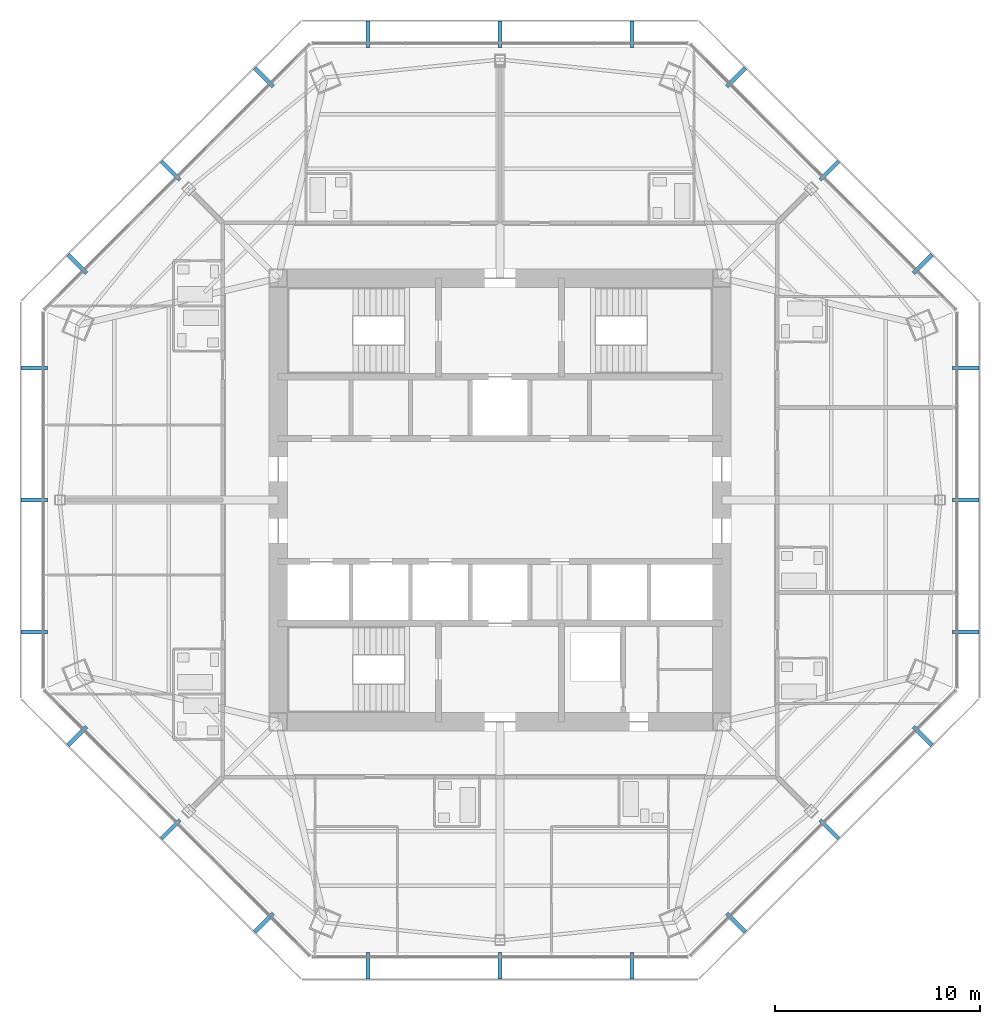
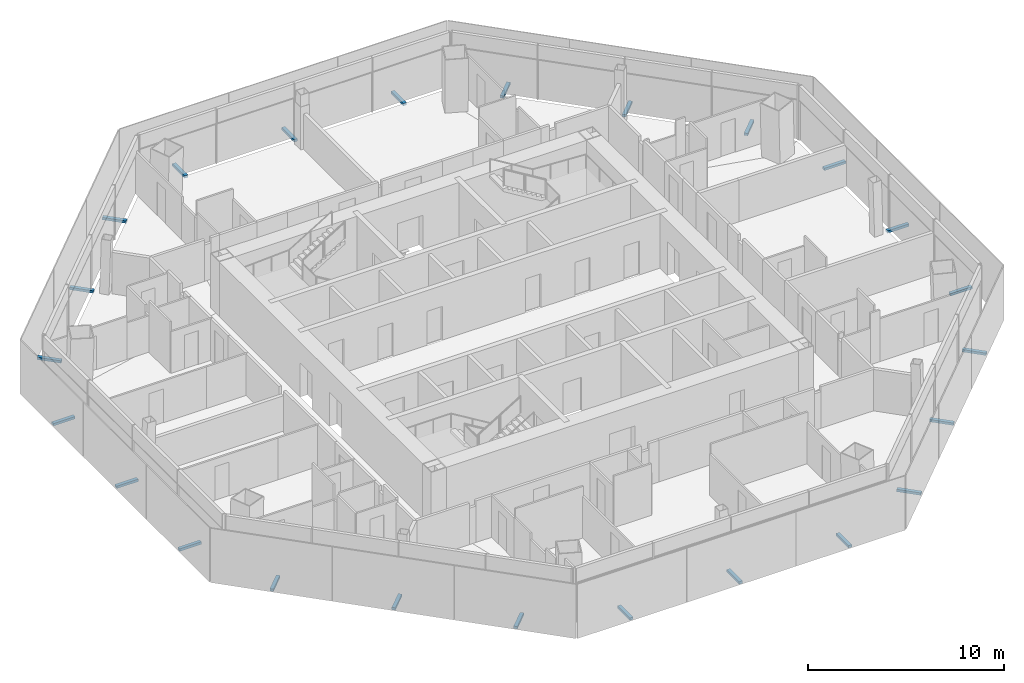
# One storey, part 13 of 15: 24 discrete accessories.
"""IFC4 building model written with IfcOpenShell, lengths in metres."""

from ifc_helpers import new_model, si_unit, direction, frame, origin, origin_2d, place, context, subcontext, project, spatial, rectangle, extrude, source, transform, mapped, material, type_object, type_shapes, element, save


model = new_model("IFC4")

# Units and contexts
model_context = context("Model", 3, precision=1e-05, world=origin(), true_north=direction((0.0, 1.0)))
body_context = subcontext(model_context, "Body", "Model", "MODEL_VIEW")
ifc_project = project(units=[si_unit("LENGTHUNIT", "METRE"), si_unit("AREAUNIT", "SQUARE_METRE"), si_unit("VOLUMEUNIT", "CUBIC_METRE"), si_unit("PLANEANGLEUNIT", "RADIAN"), si_unit("MASSUNIT", "GRAM", prefix="KILO")], contexts=[model_context])

# Site, building, storey
site_placement = place(None, origin())
site = spatial("IfcSite", under=ifc_project, at=site_placement, CompositionType="ELEMENT")
building_placement = place(site_placement, origin())
building = spatial("IfcBuilding", under=site, at=building_placement, Name="Mashrafa Tower", CompositionType="ELEMENT")
storey_placement = place(building_placement, frame((0.0, 0.0, 204.0)))
storey = spatial("IfcBuildingStorey", under=building, at=storey_placement, Name="L46", CompositionType="ELEMENT", Elevation=204.0)

# Discrete accessories
ifc_material = material(Name="Stainless steel screen bracket", Category="steel")
discrete_accessory_type = type_object("IfcDiscreteAccessoryType", Name="Screen support bracket 200 x 150", PredefinedType="BRACKET", material=ifc_material)
shared_shape = source(origin(), body_context, "Body", "SweptSolid", [
    extrude(rectangle(XDim=0.199951171875, YDim=1.27001953125, at=origin_2d()), origin(), (0.0, 0.0, 1.0), 0.14990234375),
])
type_shapes(discrete_accessory_type, [shared_shape])
for number, where, z_axis, x_axis, name in (
    (1, (22.678955078125, -6.431396484375, -0.14990234375), (0.0, 0.0, 1.0), (0.0, 1.0, 0.0), "Screen support bracket L46 east 1"),
    (2, (22.678955078125, 0.0, -0.14990234375), (0.0, 0.0, 1.0), (0.0, 1.0, 0.0), "Screen support bracket L46 east 2"),
    (3, (22.678955078125, 6.431396484375, -0.14990234375), (0.0, 0.0, 1.0), (0.0, 1.0, 0.0), "Screen support bracket L46 east 3"),
    (4, (20.583984375, 11.48876953125, -0.14990234375), (0.0, 0.0, 1.0), (-0.707106781187, 0.707106781187, 0.0), "Screen support bracket L46 north-east 1"),
    (5, (16.036376953125, 16.036376953125, -0.14990234375), (0.0, 0.0, 1.0), (-0.707106781187, 0.707106781187, 0.0), "Screen support bracket L46 north-east 2"),
    (6, (11.48876953125, 20.583984375, -0.14990234375), (0.0, 0.0, 1.0), (-0.707106781187, 0.707106781187, 0.0), "Screen support bracket L46 north-east 3"),
    (7, (6.431396484375, 22.678955078125, -0.14990234375), (0.0, 0.0, 1.0), (-1.0, 0.0, 0.0), "Screen support bracket L46 north 1"),
    (8, (0.0, 22.678955078125, -0.14990234375), (0.0, 0.0, 1.0), (-1.0, 0.0, 0.0), "Screen support bracket L46 north 2"),
    (9, (-6.431396484375, 22.678955078125, -0.14990234375), (0.0, 0.0, 1.0), (-1.0, 0.0, 0.0), "Screen support bracket L46 north 3"),
    (10, (-11.48876953125, 20.583984375, -0.14990234375), (0.0, 0.0, 1.0), (-0.707106781187, -0.707106781187, 0.0), "Screen support bracket L46 north-west 1"),
    (11, (-16.036376953125, 16.036376953125, -0.14990234375), (0.0, 0.0, 1.0), (-0.707106781187, -0.707106781187, 0.0), "Screen support bracket L46 north-west 2"),
    (12, (-20.583984375, 11.48876953125, -0.14990234375), (0.0, 0.0, 1.0), (-0.707106781187, -0.707106781187, 0.0), "Screen support bracket L46 north-west 3"),
    (13, (-22.678955078125, 6.431396484375, -0.14990234375), (0.0, 0.0, 1.0), (0.0, -1.0, 0.0), "Screen support bracket L46 west 1"),
    (14, (-22.678955078125, 0.0, -0.14990234375), (0.0, 0.0, 1.0), (0.0, -1.0, 0.0), "Screen support bracket L46 west 2"),
    (15, (-22.678955078125, -6.431396484375, -0.14990234375), (0.0, 0.0, 1.0), (0.0, -1.0, 0.0), "Screen support bracket L46 west 3"),
    (16, (-20.583984375, -11.48876953125, -0.14990234375), (0.0, 0.0, 1.0), (0.707106781187, -0.707106781187, 0.0), "Screen support bracket L46 south-west 1"),
    (17, (-16.036376953125, -16.036376953125, -0.14990234375), (0.0, 0.0, 1.0), (0.707106781187, -0.707106781187, 0.0), "Screen support bracket L46 south-west 2"),
    (18, (-11.48876953125, -20.583984375, -0.14990234375), (0.0, 0.0, 1.0), (0.707106781187, -0.707106781187, 0.0), "Screen support bracket L46 south-west 3"),
    (19, (-6.431396484375, -22.678955078125, -0.14990234375), (0.0, 0.0, 1.0), (1.0, 0.0, 0.0), "Screen support bracket L46 south 1"),
    (20, (0.0, -22.678955078125, -0.14990234375), (0.0, 0.0, 1.0), (1.0, 0.0, 0.0), "Screen support bracket L46 south 2"),
    (21, (6.431396484375, -22.678955078125, -0.14990234375), (0.0, 0.0, 1.0), (1.0, 0.0, 0.0), "Screen support bracket L46 south 3"),
    (22, (11.48876953125, -20.583984375, -0.14990234375), (0.0, 0.0, 1.0), (0.707106781187, 0.707106781187, 0.0), "Screen support bracket L46 south-east 1"),
    (23, (16.036376953125, -16.036376953125, -0.14990234375), (0.0, 0.0, 1.0), (0.707106781187, 0.707106781187, 0.0), "Screen support bracket L46 south-east 2"),
    (24, (20.583984375, -11.48876953125, -0.14990234375), (0.0, 0.0, 1.0), (0.707106781187, 0.707106781187, 0.0), "Screen support bracket L46 south-east 3"),
):
    element("IfcDiscreteAccessory", number, at=place(storey_placement, frame(where, z_axis=z_axis, x_axis=x_axis)), inside=storey, type_object=discrete_accessory_type, Name=name, PredefinedType="BRACKET", context=body_context, shape_type="MappedRepresentation", body=[
        mapped(shared_shape, transform((0.0, 0.0, 0.0))),
    ])

save(model, "model.ifc")
